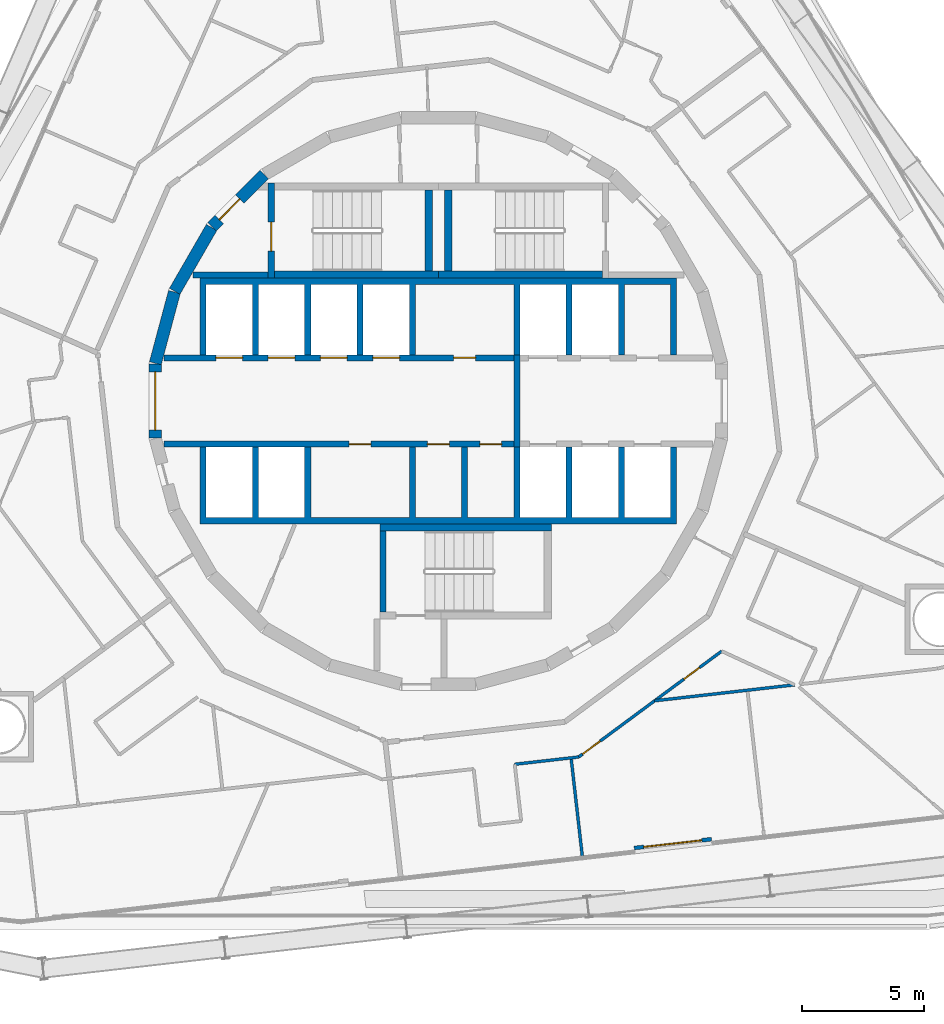
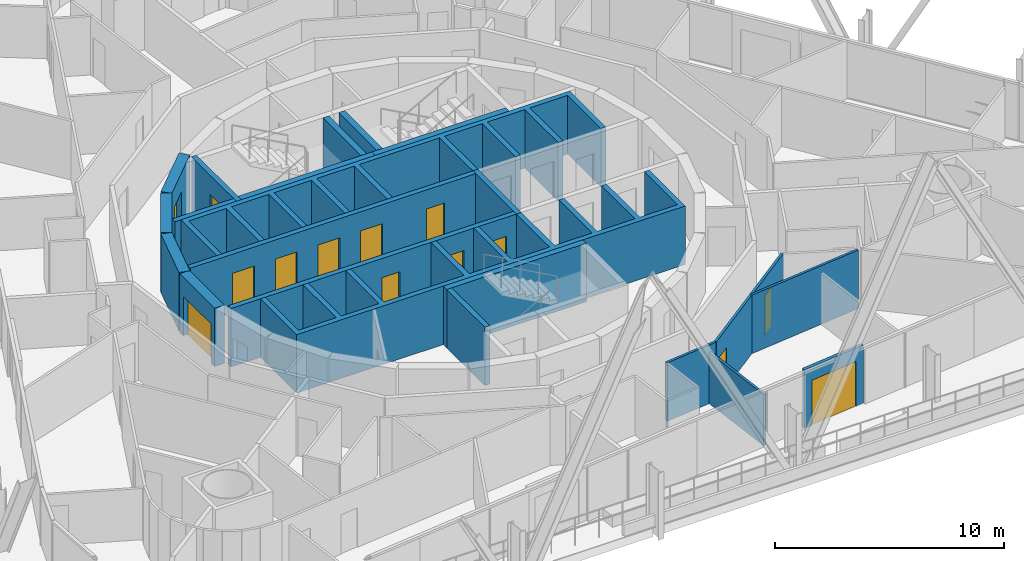
# One storey, part 18 of 32: 22 walls, 14 doors, 14 openings.
"""IFC4 building model written with IfcOpenShell, lengths in metres."""

import ifcopenshell
import ifcopenshell.guid

model = None  # the IFC model being written
_history = None  # IfcOwnerHistory: only IFC2X3 demands one
_inside = {}  # id of a spatial element -> (the spatial element, [elements in it])
_under = {}  # id of a project, library or spatial element -> (it, [spatial elements below it])
_declared = {}  # id of a project -> (the project, [libraries it declares])
_typed = {}  # id of a type object -> (the type object, [elements of that type])
_made_of = {}  # id of a material, layer set ... -> (it, [elements and type objects made of it])


def new_model(schema):
    """Start an empty IFC model of exactly this schema.

    Asked for "IFC4X3", IfcOpenShell would pick the latest addendum, in which some entities
    have other attributes; the version numbers below select the first issue.
    IFC2X3 requires an IfcOwnerHistory on every rooted entity: one is made here for all.
    """
    global model, _history
    if schema == "IFC4X3":
        model = ifcopenshell.file(schema_version=(4, 3, 0, 0))
    else:
        model = ifcopenshell.file(schema=schema)
    _inside.clear()
    _under.clear()
    _declared.clear()
    _typed.clear()
    _made_of.clear()
    _history = None
    if model.schema == "IFC2X3":
        org = make("IfcOrganization", Name="unknown")
        user = make(
            "IfcPersonAndOrganization",
            ThePerson=make("IfcPerson", FamilyName="unknown"),
            TheOrganization=org,
        )
        app = make(
            "IfcApplication",
            ApplicationDeveloper=org,
            Version="unknown",
            ApplicationFullName="unknown",
            ApplicationIdentifier="unknown",
        )
        _history = make(
            "IfcOwnerHistory",
            OwningUser=user,
            OwningApplication=app,
            ChangeAction="ADDED",
            CreationDate=0,
        )
    return model


def make(cls, **values):
    """One entity of the class cls with the attributes given. An attribute that is None is left unset."""
    return model.create_entity(
        cls, **{name: value for name, value in values.items() if value is not None}
    )


def rooted(cls, **values):
    """An entity with a GlobalId (a new one), such as an element, a storey or a relation."""
    return make(cls, GlobalId=ifcopenshell.guid.new(), OwnerHistory=_history, **values)


def si_unit(unit_type, name, prefix=None):
    """IfcSIUnit, for example si_unit("LENGTHUNIT", "METRE", prefix="MILLI")."""
    return make("IfcSIUnit", UnitType=unit_type, Prefix=prefix, Name=name)


def assignment(units):
    """IfcUnitAssignment: the units of a project."""
    return None if units is None else make("IfcUnitAssignment", Units=units)


def point(xyz):
    """IfcCartesianPoint."""
    return None if xyz is None else make("IfcCartesianPoint", Coordinates=xyz)


def direction(xyz):
    """IfcDirection."""
    return None if xyz is None else make("IfcDirection", DirectionRatios=xyz)


def frame(location, z_axis=None, x_axis=None):
    """IfcAxis2Placement3D, a coordinate frame: its origin and axes. An axis left out is left unset."""
    return make(
        "IfcAxis2Placement3D",
        Location=point(location),
        Axis=direction(z_axis),
        RefDirection=direction(x_axis),
    )


def frame_2d(location, x_axis=None):
    """IfcAxis2Placement2D, a coordinate frame in the plane: its origin and x axis."""
    return make(
        "IfcAxis2Placement2D", Location=point(location), RefDirection=direction(x_axis)
    )


def origin():
    """The frame at (0, 0, 0) with its axes left unset."""
    return frame((0.0, 0.0, 0.0))


def place(relative_to, where):
    """IfcLocalPlacement: puts the frame where relative to a parent placement (None: the world)."""
    return make(
        "IfcLocalPlacement", PlacementRelTo=relative_to, RelativePlacement=where
    )


def context(
    kind, dimensions, precision=None, world=None, true_north=None, identifier=None
):
    """IfcGeometricRepresentationContext, for example the 3D "Model" context."""
    return make(
        "IfcGeometricRepresentationContext",
        ContextIdentifier=identifier,
        ContextType=kind,
        CoordinateSpaceDimension=dimensions,
        Precision=precision,
        WorldCoordinateSystem=world,
        TrueNorth=true_north,
    )


def subcontext(parent, identifier, kind, view, scale=None):
    """IfcGeometricRepresentationSubContext, for example "Body" below "Model"."""
    return make(
        "IfcGeometricRepresentationSubContext",
        ContextIdentifier=identifier,
        ContextType=kind,
        ParentContext=parent,
        TargetScale=scale,
        TargetView=view,
    )


def project(units=None, contexts=None):
    """IfcProject with its units and contexts."""
    return rooted(
        "IfcProject",
        Name="project",
        RepresentationContexts=contexts,
        UnitsInContext=assignment(units),
    )


def spatial(cls, under=None, at=None, **own):
    """A site, building, storey or space (cls), placed at a placement, below another one or the project."""
    s = rooted(cls, ObjectPlacement=at, **own)
    if under is not None:
        _under.setdefault(under.id(), (under, []))[1].append(s)
    return s


def polyline(points):
    """IfcPolyline through the points."""
    return make("IfcPolyline", Points=[point(p) for p in points])


def profile(cls, at=None, kind="AREA", **sizes):
    """A parametric profile (cls). Its sizes go by their IFC names, for example OverallWidth=200.0."""
    return make(cls, ProfileType=kind, Position=at, **sizes)


def rectangle(**sizes):
    """IfcRectangleProfileDef."""
    return profile("IfcRectangleProfileDef", **sizes)


def outline(outer, holes=None, kind="AREA"):
    """IfcArbitraryClosedProfileDef: a profile drawn as a closed curve; with holes, ...WithVoids."""
    if holes is None:
        return make("IfcArbitraryClosedProfileDef", ProfileType=kind, OuterCurve=outer)
    return make(
        "IfcArbitraryProfileDefWithVoids",
        ProfileType=kind,
        OuterCurve=outer,
        InnerCurves=holes,
    )


def extrude(swept, where, along, depth):
    """IfcExtrudedAreaSolid: the profile swept, set in the frame where, extruded along a direction by depth."""
    return make(
        "IfcExtrudedAreaSolid",
        SweptArea=swept,
        Position=where,
        ExtrudedDirection=direction(along),
        Depth=depth,
    )


def shape(context_of_items, identifier, shape_type, items):
    """IfcShapeRepresentation: the items that make up one representation, for example the "Body"."""
    return make(
        "IfcShapeRepresentation",
        ContextOfItems=context_of_items,
        RepresentationIdentifier=identifier,
        RepresentationType=shape_type,
        Items=items,
    )


def material(Name=None, Category=None):
    """IfcMaterial."""
    return make("IfcMaterial", Name=Name, Category=Category)


def layer(
    of_material, thickness, ventilated=None, Name=None, Category=None, Priority=None
):
    """IfcMaterialLayer: one layer of a wall or slab, of a material (None: an air gap)."""
    return make(
        "IfcMaterialLayer",
        Material=of_material,
        LayerThickness=thickness,
        IsVentilated=ventilated,
        Name=Name,
        Category=Category,
        Priority=Priority,
    )


def layer_set(layers, Name=None):
    """IfcMaterialLayerSet."""
    return make("IfcMaterialLayerSet", MaterialLayers=layers, LayerSetName=Name)


def made_of(thing, what):
    """Note that an element or type object is made of a material, layer set ...; save() writes the relation."""
    if what is not None:
        _made_of.setdefault(what.id(), (what, []))[1].append(thing)
    return thing


def type_object(cls, material=None, **own):
    """A type object (cls), such as IfcWallType, which elements share."""
    return made_of(rooted(cls, **own), material)


def element(
    cls,
    number,
    at=None,
    inside=None,
    cuts=None,
    type_object=None,
    material=None,
    context=None,
    identifier="Body",
    shape_type=None,
    held_by="IfcProductDefinitionShape",
    body=None,
    shapes=None,
    **own,
):
    """One element of the class cls, such as IfcWall. Its Tag is "e" and its number.

    at: its placement. inside: the storey or other place that contains it. cuts: it is an
    opening in that element (IfcRelVoidsElement). A single representation is given by context,
    identifier, shape_type and body (its items); several are given by shapes. held_by: the class
    of the entity that holds the representations. save() writes the other relations.
    """
    e = rooted(cls, Tag="e%d" % number, ObjectPlacement=at, **own)
    if body is not None:
        shapes = [shape(context, identifier, shape_type, body)]
    if shapes is not None:
        e.Representation = make(held_by, Representations=shapes)
    if inside is not None:
        _inside.setdefault(inside.id(), (inside, []))[1].append(e)
    if cuts is not None:
        rooted(
            "IfcRelVoidsElement", RelatingBuildingElement=cuts, RelatedOpeningElement=e
        )
    if type_object is not None:
        _typed.setdefault(type_object.id(), (type_object, []))[1].append(e)
    return made_of(e, material)


def fill(opening, filler):
    """IfcRelFillsElement: the door or window that sits in an opening."""
    return rooted(
        "IfcRelFillsElement",
        RelatingOpeningElement=opening,
        RelatedBuildingElement=filler,
    )


def aggregate(whole, parts):
    """IfcRelAggregates: a whole, such as a stair, and the parts it consists of."""
    return rooted("IfcRelAggregates", RelatingObject=whole, RelatedObjects=parts)


def save(model, path):
    """Write the relations noted so far, then the file.

    IfcRelAggregates (storeys below a building ...), IfcRelContainedInSpatialStructure (elements
    in a storey), IfcRelDefinesByType, IfcRelAssociatesMaterial and IfcRelDeclares: one each for
    every whole, place, type object, material and project.
    """
    for whole, parts in _under.values():
        aggregate(whole, parts)
    for where, things in _inside.values():
        rooted(
            "IfcRelContainedInSpatialStructure",
            RelatedElements=things,
            RelatingStructure=where,
        )
    for kind, things in _typed.values():
        rooted("IfcRelDefinesByType", RelatedObjects=things, RelatingType=kind)
    for what, things in _made_of.values():
        rooted("IfcRelAssociatesMaterial", RelatedObjects=things, RelatingMaterial=what)
    for by, libraries in _declared.values():
        rooted("IfcRelDeclares", RelatingContext=by, RelatedDefinitions=libraries)
    model.write(path)


model = new_model("IFC4")

# Units and contexts
model_context = context("Model", 3, precision=1e-05, world=origin(), true_north=direction((0.0, 1.0)))
body_context = subcontext(model_context, "Body", "Model", "MODEL_VIEW")
ifc_project = project(units=[si_unit("LENGTHUNIT", "METRE"), si_unit("AREAUNIT", "SQUARE_METRE"), si_unit("VOLUMEUNIT", "CUBIC_METRE"), si_unit("PLANEANGLEUNIT", "RADIAN"), si_unit("MASSUNIT", "GRAM", prefix="KILO")], contexts=[model_context])

# Site, building, storey
site_placement = place(None, origin())
site = spatial("IfcSite", under=ifc_project, at=site_placement, CompositionType="ELEMENT")
building_placement = place(site_placement, origin())
building = spatial("IfcBuilding", under=site, at=building_placement, Name="Spindle Arch Residences", CompositionType="ELEMENT")
storey_placement = place(building_placement, frame((0.0, 0.0, 76.699951171875)))
storey = spatial("IfcBuildingStorey", under=building, at=storey_placement, Name="L17", CompositionType="ELEMENT", Elevation=76.699951171875)

# Wall, opening, door
ifc_material_1 = material(Name="Concrete C50/60", Category="concrete")
ifc_layer_1 = layer(ifc_material_1, 0.5)
ifc_layer_set_1 = layer_set([ifc_layer_1], Name="Core outline wall 500")
wall_type_1 = type_object("IfcWallType", Name="Core outline wall 500", PredefinedType="SHEAR", material=ifc_layer_set_1)
wall_1_placement = place(storey_placement, frame((-7.163818359375, 9.30810546875, 0.0), z_axis=(0.0, 0.0, 1.0), x_axis=(-0.707106781187, -0.707106781187, 0.0)))
wall_1 = element("IfcWall", 1, at=wall_1_placement, inside=storey, type_object=wall_type_1, Name="Core outline wall 15", PredefinedType="SHEAR", context=body_context, shape_type="SweptSolid", body=[
    extrude(rectangle(XDim=3.032470703125, YDim=0.5, at=frame_2d((1.51611328125, 0.0))), origin(), (0.0, 0.0, 1.0), 3.1201171875),
])
opening_1_placement = place(wall_1_placement, frame((1.416259765625, 0.0, 0.0)))
opening_1 = element("IfcOpeningElement", 2, at=opening_1_placement, cuts=wall_1, Name="Opening R2A0-AD02", PredefinedType="OPENING", context=body_context, shape_type="SweptSolid", body=[
    extrude(rectangle(XDim=1.199951171875, YDim=2.10009765625, at=frame_2d((0.60009765625, 1.050048828125))), frame((0.0, 0.260009765625, 0.0), z_axis=(0.0, -1.0, 0.0), x_axis=(1.0, 0.0, 0.0)), (0.0, 0.0, 1.0), 0.52001953125),
])
ifc_material_2 = material(Name="Steel, fire-resisting door", Category="steel")
door_type_1 = type_object("IfcDoorType", Name="Stair airlock door 1200x2100", OperationType="SINGLE_SWING_LEFT", PredefinedType="DOOR", material=ifc_material_2)
door_1_placement = place(opening_1_placement, origin())
door_1 = element("IfcDoor", 3, at=door_1_placement, inside=storey, type_object=door_type_1, Name="Stair airlock door R2A0-AD02", OperationType="SINGLE_SWING_RIGHT", OverallHeight=2.10009765625, OverallWidth=1.199951171875, PredefinedType="DOOR", context=body_context, shape_type="SweptSolid", body=[
    extrude(rectangle(XDim=1.199951171875, YDim=2.10009765625, at=frame_2d((0.60009765625, 1.050048828125))), frame((0.0, 0.02490234375, 0.0), z_axis=(0.0, -1.0, 0.0), x_axis=(1.0, 0.0, 0.0)), (0.0, 0.0, 1.0), 0.050048828125),
])
fill(opening_1, door_1)

# Walls
for number, where, z_axis, x_axis, name in (
    (4, (-9.32861328125, 7.13671875, 0.0), (0.0, 0.0, 1.0), (-0.500087131594, -0.865975092491, 0.0), "Core outline wall 16"),
    (5, (-10.858154296875, 4.479248046875, 0.0), (0.0, 0.0, 1.0), (-0.258734743916, -0.965948410781, 0.0), "Core outline wall 17"),
):
    element("IfcWall", number, at=place(storey_placement, frame(where, z_axis=z_axis, x_axis=x_axis)), inside=storey, type_object=wall_type_1, Name=name, PredefinedType="SHEAR", context=body_context, shape_type="SweptSolid", body=[
        extrude(rectangle(XDim=3.03271484375, YDim=0.5, at=frame_2d((1.516357421875, 0.0))), origin(), (0.0, 0.0, 1.0), 3.1201171875),
    ])

# Wall, opening, door
wall_2_placement = place(storey_placement, frame((-11.647216796875, 1.516357421875, 0.0), z_axis=(0.0, 0.0, 1.0), x_axis=(0.0, -1.0, 0.0)))
wall_2 = element("IfcWall", 6, at=wall_2_placement, inside=storey, type_object=wall_type_1, Name="Core outline wall 18", PredefinedType="SHEAR", context=body_context, shape_type="SweptSolid", body=[
    extrude(rectangle(XDim=3.03271484375, YDim=0.5, at=frame_2d((1.516357421875, 0.0))), origin(), (0.0, 0.0, 1.0), 3.1201171875),
])
opening_2_placement = place(wall_2_placement, frame((0.31640625, 0.0, 0.0)))
opening_2 = element("IfcOpeningElement", 7, at=opening_2_placement, cuts=wall_2, Name="Opening R2A0-LE01", PredefinedType="OPENING", context=body_context, shape_type="SweptSolid", body=[
    extrude(rectangle(XDim=2.39990234375, YDim=2.10009765625, at=frame_2d((1.199951171875, 1.050048828125))), frame((0.0, 0.260009765625, 0.0), z_axis=(0.0, -1.0, 0.0), x_axis=(1.0, 0.0, 0.0)), (0.0, 0.0, 1.0), 0.52001953125),
])
ifc_material_3 = material(Name="Steel, fire-resisting door", Category="steel")
door_type_2 = type_object("IfcDoorType", Name="Lift lobby entrance door 2400x2100", OperationType="DOUBLE_DOOR_SINGLE_SWING", PredefinedType="DOOR", material=ifc_material_3)
door_2_placement = place(opening_2_placement, origin())
door_2 = element("IfcDoor", 8, at=door_2_placement, inside=storey, type_object=door_type_2, Name="Lift lobby entrance door R2A0-LE01", OperationType="DOUBLE_DOOR_SINGLE_SWING", OverallHeight=2.10009765625, OverallWidth=2.39990234375, PredefinedType="DOOR", context=body_context, shape_type="SweptSolid", body=[
    extrude(rectangle(XDim=2.39990234375, YDim=2.10009765625, at=frame_2d((1.199951171875, 1.050048828125))), frame((0.0, 0.02490234375, 0.0), z_axis=(0.0, -1.0, 0.0), x_axis=(1.0, 0.0, 0.0)), (0.0, 0.0, 1.0), 0.050048828125),
])
fill(opening_2, door_2)

# Walls
ifc_material_4 = material(Name="Concrete C40/50", Category="concrete")
ifc_layer_2 = layer(ifc_material_4, 0.25)
ifc_layer_set_2 = layer_set([ifc_layer_2], Name="Fire-lift lobby wall 250")
wall_type_2 = type_object("IfcWallType", Name="Fire-lift lobby wall 250", PredefinedType="SHEAR", material=ifc_layer_set_2)
wall_3_placement = place(storey_placement, frame((3.22509765625, -1.89990234375, 0.0), z_axis=(0.0, 0.0, 1.0), x_axis=(0.0, 1.0, 0.0)))
element("IfcWall", 9, at=wall_3_placement, inside=storey, type_object=wall_type_2, Name="Fire-fighting lobby partition", PredefinedType="SHEAR", context=body_context, shape_type="SweptSolid", body=[
    extrude(rectangle(XDim=3.7998046875, YDim=0.25, at=frame_2d((1.89990234375, 0.0))), origin(), (0.0, 0.0, 1.0), 3.1201171875),
])
ifc_material_5 = material(Name="Plasterboard on steel studs", Category="steel")
ifc_layer_3 = layer(ifc_material_5, 0.1201171875)
ifc_layer_set_3 = layer_set([ifc_layer_3], Name="Flat partition 120")
wall_type_3 = type_object("IfcWallType", Name="Flat partition 120", PredefinedType="PARTITIONING", material=ifc_layer_set_3)
wall_4_placement = place(storey_placement, frame((3.1376953125, -14.94091796875, 0.0), z_axis=(0.0, 0.0, 1.0), x_axis=(0.99356355736, 0.113276023437, 0.0)))
element("IfcWall", 10, at=wall_4_placement, inside=storey, type_object=wall_type_3, Name="Flat partition R2A0-W117", PredefinedType="PARTITIONING", context=body_context, shape_type="SweptSolid", body=[
    extrude(rectangle(XDim=2.646728515625, YDim=0.1201171875, at=frame_2d((1.3232421875, 0.0))), origin(), (0.0, 0.0, 1.0), 3.1201171875),
])

# Wall, openings, doors
wall_5_placement = place(storey_placement, frame((5.767333984375, -14.64111328125, 0.0), z_axis=(0.0, 0.0, 1.0), x_axis=(0.803867427863, 0.594808505673, 0.0)))
wall_5 = element("IfcWall", 11, at=wall_5_placement, inside=storey, type_object=wall_type_3, Name="Flat partition R2A0-W118", PredefinedType="PARTITIONING", context=body_context, shape_type="SweptSolid", body=[
    extrude(rectangle(XDim=7.31640625, YDim=0.1201171875, at=frame_2d((3.658203125, 0.0))), origin(), (0.0, 0.0, 1.0), 3.1201171875),
])
opening_3_placement = place(wall_5_placement, frame((0.199951171875, 0.0, 0.0)))
opening_3 = element("IfcOpeningElement", 12, at=opening_3_placement, cuts=wall_5, Name="Opening R2A0-ID30", PredefinedType="OPENING", context=body_context, shape_type="SweptSolid", body=[
    extrude(rectangle(XDim=0.89990234375, YDim=2.10009765625, at=frame_2d((0.449951171875, 1.050048828125))), frame((0.0, 0.070068359375, 0.0), z_axis=(0.0, -1.0, 0.0), x_axis=(1.0, 0.0, 0.0)), (0.0, 0.0, 1.0), 0.14013671875),
])
opening_4_placement = place(wall_5_placement, frame((5.385009765625, 0.0, 0.0)))
opening_4 = element("IfcOpeningElement", 13, at=opening_4_placement, cuts=wall_5, Name="Opening R2A0-BD07", PredefinedType="OPENING", context=body_context, shape_type="SweptSolid", body=[
    extrude(rectangle(XDim=0.800048828125, YDim=2.10009765625, at=frame_2d((0.39990234375, 1.050048828125))), frame((0.0, 0.070068359375, 0.0), z_axis=(0.0, -1.0, 0.0), x_axis=(1.0, 0.0, 0.0)), (0.0, 0.0, 1.0), 0.14013671875),
])
ifc_material_6 = material(Name="Timber door set", Category="wood")
door_type_3 = type_object("IfcDoorType", Name="Bathroom door 800x2100", OperationType="NOTDEFINED", PredefinedType="DOOR", material=ifc_material_6)
door_3_placement = place(opening_4_placement, origin())
door_3 = element("IfcDoor", 14, at=door_3_placement, inside=storey, type_object=door_type_3, Name="Bathroom door R2A0-BD07", OperationType="SINGLE_SWING_RIGHT", OverallHeight=2.10009765625, OverallWidth=0.800048828125, PredefinedType="DOOR", context=body_context, shape_type="SweptSolid", body=[
    extrude(rectangle(XDim=0.800048828125, YDim=2.10009765625, at=frame_2d((0.39990234375, 1.050048828125))), frame((0.0, 0.02490234375, 0.0), z_axis=(0.0, -1.0, 0.0), x_axis=(1.0, 0.0, 0.0)), (0.0, 0.0, 1.0), 0.050048828125),
])
fill(opening_4, door_3)
ifc_material_7 = material(Name="Timber door set", Category="wood")
door_type_4 = type_object("IfcDoorType", Name="Room door 900x2100", OperationType="NOTDEFINED", PredefinedType="DOOR", material=ifc_material_7)
door_4_placement = place(opening_3_placement, origin())
door_4 = element("IfcDoor", 15, at=door_4_placement, inside=storey, type_object=door_type_4, Name="Room door R2A0-ID30", OperationType="SINGLE_SWING_RIGHT", OverallHeight=2.10009765625, OverallWidth=0.89990234375, PredefinedType="DOOR", context=body_context, shape_type="SweptSolid", body=[
    extrude(rectangle(XDim=0.89990234375, YDim=2.10009765625, at=frame_2d((0.449951171875, 1.050048828125))), frame((0.0, 0.02490234375, 0.0), z_axis=(0.0, -1.0, 0.0), x_axis=(1.0, 0.0, 0.0)), (0.0, 0.0, 1.0), 0.050048828125),
])
fill(opening_3, door_4)

# Walls
wall_6_placement = place(storey_placement, frame((14.64892578125, -11.67431640625, 0.0), z_axis=(0.0, 0.0, 1.0), x_axis=(-0.993573746873, -0.113186613721, 0.0)))
element("IfcWall", 16, at=wall_6_placement, inside=storey, type_object=wall_type_3, Name="Flat partition R2A0-W124", PredefinedType="PARTITIONING", context=body_context, shape_type="SweptSolid", body=[
    extrude(rectangle(XDim=5.7958984375, YDim=0.1201171875, at=frame_2d((2.89794921875, 0.0))), origin(), (0.0, 0.0, 1.0), 3.1201171875),
])
ifc_material_8 = material(Name="Plasterboard on steel studs", Category="steel")
ifc_layer_4 = layer(ifc_material_8, 0.1201171875)
ifc_layer_set_4 = layer_set([ifc_layer_4], Name="Flat partition 120 under beam 2730")
wall_type_4 = type_object("IfcWallType", Name="Flat partition 120 under beam 2730", PredefinedType="PARTITIONING", material=ifc_layer_set_4)
wall_7_placement = place(storey_placement, frame((5.915283203125, -18.7080078125, 0.0), z_axis=(0.0, 0.0, 1.0), x_axis=(-0.113244511591, 0.993567149515, 0.0)))
element("IfcWall", 17, at=wall_7_placement, inside=storey, type_object=wall_type_4, Name="Flat partition R2A0-W123", PredefinedType="PARTITIONING", context=body_context, shape_type="SweptSolid", body=[
    extrude(rectangle(XDim=4.057373046875, YDim=0.1201171875, at=frame_2d((2.02880859375, 0.0))), origin(), (0.0, 0.0, 1.0), 2.72998046875),
])

# Wall, opening, door
ifc_material_9 = material(Name="Non-combustible mineral wool insulated aluminium faced external wall (K0)", Category="aluminium")
ifc_layer_5 = layer(ifc_material_9, 0.159912109375)
ifc_layer_set_5 = layer_set([ifc_layer_5], Name="Insulated external wall panel 160")
wall_type_5 = type_object("IfcWallType", Name="Insulated external wall panel 160", PredefinedType="STANDARD", material=ifc_layer_set_5)
wall_8_placement = place(storey_placement, frame((8.0517578125, -18.38427734375, 0.0), z_axis=(0.0, 0.0, 1.0), x_axis=(0.993569997097, 0.113219525124, 0.0)))
wall_8 = element("IfcWall", 18, at=wall_8_placement, inside=storey, type_object=wall_type_5, Name="External wall L17 bay 1", PredefinedType="STANDARD", context=body_context, shape_type="SweptSolid", body=[
    extrude(rectangle(XDim=3.199951171875, YDim=0.159912109375, at=frame_2d((1.60009765625, 0.0))), origin(), (0.0, 0.0, 1.0), 3.1201171875),
])
opening_5_placement = place(wall_8_placement, frame((0.39990234375, 0.0, 0.0)))
opening_5 = element("IfcOpeningElement", 19, at=opening_5_placement, cuts=wall_8, Name="Opening BD01", PredefinedType="OPENING", context=body_context, shape_type="SweptSolid", body=[
    extrude(rectangle(XDim=2.39990234375, YDim=2.39990234375, at=frame_2d((1.199951171875, 1.199951171875))), frame((0.0, 0.08984375, 0.0), z_axis=(0.0, -1.0, 0.0), x_axis=(1.0, 0.0, 0.0)), (0.0, 0.0, 1.0), 0.179931640625),
])
ifc_material_10 = material(Name="Bronze aluminium frame, tinted double glazing", Category="aluminium")
door_type_5 = type_object("IfcDoorType", Name="Sliding glazed balcony door 2400x2400", OperationType="DOUBLE_DOOR_SLIDING", PredefinedType="DOOR", material=ifc_material_10)
door_5_placement = place(opening_5_placement, origin())
door_5 = element("IfcDoor", 20, at=door_5_placement, inside=storey, type_object=door_type_5, Name="Balcony door BD01", OperationType="DOUBLE_DOOR_SLIDING", OverallHeight=2.39990234375, OverallWidth=2.39990234375, PredefinedType="DOOR", context=body_context, shape_type="SweptSolid", body=[
    extrude(rectangle(XDim=2.39990234375, YDim=2.39990234375, at=frame_2d((1.199951171875, 1.199951171875))), frame((0.0, 0.02490234375, 0.0), z_axis=(0.0, -1.0, 0.0), x_axis=(1.0, 0.0, 0.0)), (0.0, 0.0, 1.0), 0.050048828125),
])
fill(opening_5, door_5)

# Wall, openings, doors
ifc_material_11 = material(Name="Concrete C50/60", Category="concrete")
ifc_layer_6 = layer(ifc_material_11, 0.25)
ifc_layer_set_6 = layer_set([ifc_layer_6], Name="Lift shaft wall 250")
wall_type_6 = type_object("IfcWallType", Name="Lift shaft wall 250", PredefinedType="SHEAR", material=ifc_layer_set_6)
wall_9_placement = place(storey_placement, frame((-11.280029296875, 1.77490234375, 0.0), z_axis=(0.0, 0.0, 1.0), x_axis=(1.0, 0.0, 0.0)))
wall_9 = element("IfcWall", 21, at=wall_9_placement, inside=storey, type_object=wall_type_6, Name="Lift shaft front wall NW", PredefinedType="SHEAR", context=body_context, shape_type="SweptSolid", body=[
    extrude(rectangle(XDim=14.380126953125, YDim=0.25, at=frame_2d((7.18994140625, 0.0))), origin(), (0.0, 0.0, 1.0), 3.1201171875),
])
opening_6_placement = place(wall_9_placement, frame((2.1298828125, 0.0, 0.0)))
opening_6 = element("IfcOpeningElement", 22, at=opening_6_placement, cuts=wall_9, Name="Opening R2A0-LD01", PredefinedType="OPENING", context=body_context, shape_type="SweptSolid", body=[
    extrude(rectangle(XDim=1.10009765625, YDim=2.10009765625, at=frame_2d((0.550048828125, 1.050048828125))), frame((0.0, 0.135009765625, 0.0), z_axis=(0.0, -1.0, 0.0), x_axis=(1.0, 0.0, 0.0)), (0.0, 0.0, 1.0), 0.27001953125),
])
opening_7_placement = place(wall_9_placement, frame((4.280029296875, 0.0, 0.0)))
opening_7 = element("IfcOpeningElement", 23, at=opening_7_placement, cuts=wall_9, Name="Opening R2A0-LD02", PredefinedType="OPENING", context=body_context, shape_type="SweptSolid", body=[
    extrude(rectangle(XDim=1.10009765625, YDim=2.10009765625, at=frame_2d((0.550048828125, 1.050048828125))), frame((0.0, 0.135009765625, 0.0), z_axis=(0.0, -1.0, 0.0), x_axis=(1.0, 0.0, 0.0)), (0.0, 0.0, 1.0), 0.27001953125),
])
opening_8_placement = place(wall_9_placement, frame((6.429931640625, 0.0, 0.0)))
opening_8 = element("IfcOpeningElement", 24, at=opening_8_placement, cuts=wall_9, Name="Opening R2A0-LD03", PredefinedType="OPENING", context=body_context, shape_type="SweptSolid", body=[
    extrude(rectangle(XDim=1.10009765625, YDim=2.10009765625, at=frame_2d((0.550048828125, 1.050048828125))), frame((0.0, 0.135009765625, 0.0), z_axis=(0.0, -1.0, 0.0), x_axis=(1.0, 0.0, 0.0)), (0.0, 0.0, 1.0), 0.27001953125),
])
opening_9_placement = place(wall_9_placement, frame((8.580078125, 0.0, 0.0)))
opening_9 = element("IfcOpeningElement", 25, at=opening_9_placement, cuts=wall_9, Name="Opening R2A0-LD04", PredefinedType="OPENING", context=body_context, shape_type="SweptSolid", body=[
    extrude(rectangle(XDim=1.10009765625, YDim=2.10009765625, at=frame_2d((0.550048828125, 1.050048828125))), frame((0.0, 0.135009765625, 0.0), z_axis=(0.0, -1.0, 0.0), x_axis=(1.0, 0.0, 0.0)), (0.0, 0.0, 1.0), 0.27001953125),
])
opening_10_placement = place(wall_9_placement, frame((11.905029296875, 0.0, 0.0)))
opening_10 = element("IfcOpeningElement", 26, at=opening_10_placement, cuts=wall_9, Name="Opening R2A0-WD01", PredefinedType="OPENING", context=body_context, shape_type="SweptSolid", body=[
    extrude(rectangle(XDim=0.89990234375, YDim=2.10009765625, at=frame_2d((0.449951171875, 1.050048828125))), frame((0.0, 0.135009765625, 0.0), z_axis=(0.0, -1.0, 0.0), x_axis=(1.0, 0.0, 0.0)), (0.0, 0.0, 1.0), 0.27001953125),
])
ifc_material_12 = material(Name="Steel, fire-resisting landing door", Category="steel")
door_type_6 = type_object("IfcDoorType", Name="Lift landing door 1100x2100", OperationType="DOUBLE_DOOR_SLIDING", PredefinedType="DOOR", material=ifc_material_12)
door_6_placement = place(opening_6_placement, origin())
door_6 = element("IfcDoor", 27, at=door_6_placement, inside=storey, type_object=door_type_6, Name="Lift landing door R2A0-LD01", OperationType="DOUBLE_DOOR_SLIDING", OverallHeight=2.10009765625, OverallWidth=1.10009765625, PredefinedType="DOOR", context=body_context, shape_type="SweptSolid", body=[
    extrude(rectangle(XDim=1.10009765625, YDim=2.10009765625, at=frame_2d((0.550048828125, 1.050048828125))), frame((0.0, 0.02490234375, 0.0), z_axis=(0.0, -1.0, 0.0), x_axis=(1.0, 0.0, 0.0)), (0.0, 0.0, 1.0), 0.050048828125),
])
fill(opening_6, door_6)
door_7_placement = place(opening_7_placement, origin())
door_7 = element("IfcDoor", 28, at=door_7_placement, inside=storey, type_object=door_type_6, Name="Lift landing door R2A0-LD02", OperationType="DOUBLE_DOOR_SLIDING", OverallHeight=2.10009765625, OverallWidth=1.10009765625, PredefinedType="DOOR", context=body_context, shape_type="SweptSolid", body=[
    extrude(rectangle(XDim=1.10009765625, YDim=2.10009765625, at=frame_2d((0.550048828125, 1.050048828125))), frame((0.0, 0.02490234375, 0.0), z_axis=(0.0, -1.0, 0.0), x_axis=(1.0, 0.0, 0.0)), (0.0, 0.0, 1.0), 0.050048828125),
])
fill(opening_7, door_7)
door_8_placement = place(opening_8_placement, origin())
door_8 = element("IfcDoor", 29, at=door_8_placement, inside=storey, type_object=door_type_6, Name="Lift landing door R2A0-LD03", OperationType="DOUBLE_DOOR_SLIDING", OverallHeight=2.10009765625, OverallWidth=1.10009765625, PredefinedType="DOOR", context=body_context, shape_type="SweptSolid", body=[
    extrude(rectangle(XDim=1.10009765625, YDim=2.10009765625, at=frame_2d((0.550048828125, 1.050048828125))), frame((0.0, 0.02490234375, 0.0), z_axis=(0.0, -1.0, 0.0), x_axis=(1.0, 0.0, 0.0)), (0.0, 0.0, 1.0), 0.050048828125),
])
fill(opening_8, door_8)
door_9_placement = place(opening_9_placement, origin())
door_9 = element("IfcDoor", 30, at=door_9_placement, inside=storey, type_object=door_type_6, Name="Lift landing door R2A0-LD04", OperationType="DOUBLE_DOOR_SLIDING", OverallHeight=2.10009765625, OverallWidth=1.10009765625, PredefinedType="DOOR", context=body_context, shape_type="SweptSolid", body=[
    extrude(rectangle(XDim=1.10009765625, YDim=2.10009765625, at=frame_2d((0.550048828125, 1.050048828125))), frame((0.0, 0.02490234375, 0.0), z_axis=(0.0, -1.0, 0.0), x_axis=(1.0, 0.0, 0.0)), (0.0, 0.0, 1.0), 0.050048828125),
])
fill(opening_9, door_9)
ifc_material_13 = material(Name="Steel, fire-resisting door", Category="steel")
door_type_7 = type_object("IfcDoorType", Name="Service room door 900x2100", OperationType="SINGLE_SWING_LEFT", PredefinedType="DOOR", material=ifc_material_13)
door_10_placement = place(opening_10_placement, origin())
door_10 = element("IfcDoor", 31, at=door_10_placement, inside=storey, type_object=door_type_7, Name="Service room door R2A0-WD01", OperationType="SINGLE_SWING_RIGHT", OverallHeight=2.10009765625, OverallWidth=0.89990234375, PredefinedType="DOOR", context=body_context, shape_type="SweptSolid", body=[
    extrude(rectangle(XDim=0.89990234375, YDim=2.10009765625, at=frame_2d((0.449951171875, 1.050048828125))), frame((0.0, 0.02490234375, 0.0), z_axis=(0.0, -1.0, 0.0), x_axis=(1.0, 0.0, 0.0)), (0.0, 0.0, 1.0), 0.050048828125),
])
fill(opening_10, door_10)

wall_10_placement = place(storey_placement, frame((-11.280029296875, -1.77490234375, 0.0), z_axis=(0.0, 0.0, 1.0), x_axis=(1.0, 0.0, 0.0)))
wall_10 = element("IfcWall", 32, at=wall_10_placement, inside=storey, type_object=wall_type_6, Name="Lift shaft front wall SW", PredefinedType="SHEAR", context=body_context, shape_type="SweptSolid", body=[
    extrude(rectangle(XDim=14.380126953125, YDim=0.25, at=frame_2d((7.18994140625, 0.0))), origin(), (0.0, 0.0, 1.0), 3.1201171875),
])
opening_11_placement = place(wall_10_placement, frame((7.60498046875, 0.0, 0.0)))
opening_11 = element("IfcOpeningElement", 33, at=opening_11_placement, cuts=wall_10, Name="Opening R2A0-WD03", PredefinedType="OPENING", context=body_context, shape_type="SweptSolid", body=[
    extrude(rectangle(XDim=0.89990234375, YDim=2.10009765625, at=frame_2d((0.449951171875, 1.050048828125))), frame((0.0, 0.135009765625, 0.0), z_axis=(0.0, -1.0, 0.0), x_axis=(1.0, 0.0, 0.0)), (0.0, 0.0, 1.0), 0.27001953125),
])
opening_12_placement = place(wall_10_placement, frame((10.830078125, 0.0, 0.0)))
opening_12 = element("IfcOpeningElement", 34, at=opening_12_placement, cuts=wall_10, Name="Opening R2A0-WD04", PredefinedType="OPENING", context=body_context, shape_type="SweptSolid", body=[
    extrude(rectangle(XDim=0.89990234375, YDim=2.10009765625, at=frame_2d((0.449951171875, 1.050048828125))), frame((0.0, 0.135009765625, 0.0), z_axis=(0.0, -1.0, 0.0), x_axis=(1.0, 0.0, 0.0)), (0.0, 0.0, 1.0), 0.27001953125),
])
opening_13_placement = place(wall_10_placement, frame((12.97998046875, 0.0, 0.0)))
opening_13 = element("IfcOpeningElement", 35, at=opening_13_placement, cuts=wall_10, Name="Opening R2A0-WD05", PredefinedType="OPENING", context=body_context, shape_type="SweptSolid", body=[
    extrude(rectangle(XDim=0.89990234375, YDim=2.10009765625, at=frame_2d((0.449951171875, 1.050048828125))), frame((0.0, 0.135009765625, 0.0), z_axis=(0.0, -1.0, 0.0), x_axis=(1.0, 0.0, 0.0)), (0.0, 0.0, 1.0), 0.27001953125),
])
door_11_placement = place(opening_11_placement, origin())
door_11 = element("IfcDoor", 36, at=door_11_placement, inside=storey, type_object=door_type_7, Name="Service room door R2A0-WD03", OperationType="SINGLE_SWING_RIGHT", OverallHeight=2.10009765625, OverallWidth=0.89990234375, PredefinedType="DOOR", context=body_context, shape_type="SweptSolid", body=[
    extrude(rectangle(XDim=0.89990234375, YDim=2.10009765625, at=frame_2d((0.449951171875, 1.050048828125))), frame((0.0, 0.02490234375, 0.0), z_axis=(0.0, -1.0, 0.0), x_axis=(1.0, 0.0, 0.0)), (0.0, 0.0, 1.0), 0.050048828125),
])
fill(opening_11, door_11)
door_12_placement = place(opening_12_placement, origin())
door_12 = element("IfcDoor", 37, at=door_12_placement, inside=storey, type_object=door_type_7, Name="Service room door R2A0-WD04", OperationType="SINGLE_SWING_LEFT", OverallHeight=2.10009765625, OverallWidth=0.89990234375, PredefinedType="DOOR", context=body_context, shape_type="SweptSolid", body=[
    extrude(rectangle(XDim=0.89990234375, YDim=2.10009765625, at=frame_2d((0.449951171875, 1.050048828125))), frame((0.0, 0.02490234375, 0.0), z_axis=(0.0, -1.0, 0.0), x_axis=(1.0, 0.0, 0.0)), (0.0, 0.0, 1.0), 0.050048828125),
])
fill(opening_12, door_12)
door_13_placement = place(opening_13_placement, origin())
door_13 = element("IfcDoor", 38, at=door_13_placement, inside=storey, type_object=door_type_7, Name="Service room door R2A0-WD05", OperationType="SINGLE_SWING_RIGHT", OverallHeight=2.10009765625, OverallWidth=0.89990234375, PredefinedType="DOOR", context=body_context, shape_type="SweptSolid", body=[
    extrude(rectangle(XDim=0.89990234375, YDim=2.10009765625, at=frame_2d((0.449951171875, 1.050048828125))), frame((0.0, 0.02490234375, 0.0), z_axis=(0.0, -1.0, 0.0), x_axis=(1.0, 0.0, 0.0)), (0.0, 0.0, 1.0), 0.050048828125),
])
fill(opening_13, door_13)

# Walls
ifc_material_14 = material(Name="Concrete C50/60", Category="concrete")
wall_type_7 = type_object("IfcWallType", Name="Lift shaft wall profile", PredefinedType="SHEAR", material=ifc_material_14)
wall_11_placement = place(storey_placement, origin())
element("IfcWall", 39, at=wall_11_placement, inside=storey, type_object=wall_type_7, Name="Lift shaft walls N", PredefinedType="SHEAR", context=body_context, shape_type="SweptSolid", body=[
    extrude(outline(polyline([(-9.550048828125, 4.800048828125), (-7.64990234375, 4.800048828125), (-7.64990234375, 1.89990234375), (-7.39990234375, 1.89990234375), (-7.39990234375, 4.800048828125), (-5.5, 4.800048828125), (-5.5, 1.89990234375), (-5.25, 1.89990234375), (-5.25, 4.800048828125), (-3.35009765625, 4.800048828125), (-3.35009765625, 1.89990234375), (-3.10009765625, 1.89990234375), (-3.10009765625, 4.800048828125), (-1.199951171875, 4.800048828125), (-1.199951171875, 1.89990234375), (-0.949951171875, 1.89990234375), (-0.949951171875, 4.800048828125), (3.10009765625, 4.800048828125), (3.10009765625, 1.89990234375), (3.35009765625, 1.89990234375), (3.35009765625, 4.800048828125), (5.25, 4.800048828125), (5.25, 1.89990234375), (5.5, 1.89990234375), (5.5, 4.800048828125), (7.39990234375, 4.800048828125), (7.39990234375, 1.89990234375), (7.64990234375, 1.89990234375), (7.64990234375, 4.800048828125), (9.550048828125, 4.800048828125), (9.550048828125, 1.89990234375), (9.800048828125, 1.89990234375), (9.800048828125, 4.800048828125), (9.800048828125, 5.050048828125), (-9.800048828125, 5.050048828125), (-9.800048828125, 4.800048828125), (-9.800048828125, 1.89990234375), (-9.550048828125, 1.89990234375), (-9.550048828125, 4.800048828125)])), origin(), (0.0, 0.0, 1.0), 3.1201171875),
])
wall_12_placement = place(storey_placement, origin())
element("IfcWall", 40, at=wall_12_placement, inside=storey, type_object=wall_type_7, Name="Lift shaft walls S", PredefinedType="SHEAR", context=body_context, shape_type="SweptSolid", body=[
    extrude(outline(polyline([(9.800048828125, -5.050048828125), (9.800048828125, -4.800048828125), (9.800048828125, -1.89990234375), (9.550048828125, -1.89990234375), (9.550048828125, -4.800048828125), (7.64990234375, -4.800048828125), (7.64990234375, -1.89990234375), (7.39990234375, -1.89990234375), (7.39990234375, -4.800048828125), (5.5, -4.800048828125), (5.5, -1.89990234375), (5.25, -1.89990234375), (5.25, -4.800048828125), (3.35009765625, -4.800048828125), (3.35009765625, -1.89990234375), (3.10009765625, -1.89990234375), (3.10009765625, -4.800048828125), (1.199951171875, -4.800048828125), (1.199951171875, -1.89990234375), (0.949951171875, -1.89990234375), (0.949951171875, -4.800048828125), (-0.949951171875, -4.800048828125), (-0.949951171875, -1.89990234375), (-1.199951171875, -1.89990234375), (-1.199951171875, -4.800048828125), (-5.25, -4.800048828125), (-5.25, -1.89990234375), (-5.5, -1.89990234375), (-5.5, -4.800048828125), (-7.39990234375, -4.800048828125), (-7.39990234375, -1.89990234375), (-7.64990234375, -1.89990234375), (-7.64990234375, -4.800048828125), (-9.550048828125, -4.800048828125), (-9.550048828125, -1.89990234375), (-9.800048828125, -1.89990234375), (-9.800048828125, -4.800048828125), (-9.800048828125, -5.050048828125), (9.800048828125, -5.050048828125)])), origin(), (0.0, 0.0, 1.0), 3.1201171875),
])
ifc_material_15 = material(Name="Concrete C40/50", Category="concrete")
ifc_layer_7 = layer(ifc_material_15, 0.25)
ifc_layer_set_7 = layer_set([ifc_layer_7], Name="Stair airlock wall 250")
wall_type_8 = type_object("IfcWallType", Name="Stair airlock wall 250", PredefinedType="SHEAR", material=ifc_layer_set_7)
wall_13_placement = place(storey_placement, frame((-7.0, 5.175048828125, 0.0), z_axis=(0.0, 0.0, 1.0), x_axis=(-1.0, 0.0, 0.0)))
element("IfcWall", 41, at=wall_13_placement, inside=storey, type_object=wall_type_8, Name="Stair ST-2 airlock wall S", PredefinedType="SHEAR", context=body_context, shape_type="SweptSolid", body=[
    extrude(rectangle(XDim=3.10009765625, YDim=0.25, at=frame_2d((1.550048828125, 0.0))), origin(), (0.0, 0.0, 1.0), 3.1201171875),
])

# Wall, opening, door
ifc_material_16 = material(Name="Concrete C50/60", Category="concrete")
ifc_layer_8 = layer(ifc_material_16, 0.25)
ifc_layer_set_8 = layer_set([ifc_layer_8], Name="Stair enclosure wall 250")
wall_type_9 = type_object("IfcWallType", Name="Stair enclosure wall 250", PredefinedType="SHEAR", material=ifc_layer_set_8)
wall_14_placement = place(storey_placement, frame((-6.875, 8.969970703125, 0.0), z_axis=(0.0, 0.0, 1.0), x_axis=(0.0, -1.0, 0.0)))
wall_14 = element("IfcWall", 42, at=wall_14_placement, inside=storey, type_object=wall_type_9, Name="Stair ST-2 door wall", PredefinedType="SHEAR", context=body_context, shape_type="SweptSolid", body=[
    extrude(rectangle(XDim=3.919921875, YDim=0.25, at=frame_2d((1.9599609375, 0.0))), origin(), (0.0, 0.0, 1.0), 3.1201171875),
])
opening_14_placement = place(wall_14_placement, frame((1.610107421875, 0.0, 0.0)))
opening_14 = element("IfcOpeningElement", 43, at=opening_14_placement, cuts=wall_14, Name="Opening R2A0-SD02", PredefinedType="OPENING", context=body_context, shape_type="SweptSolid", body=[
    extrude(rectangle(XDim=1.199951171875, YDim=2.10009765625, at=frame_2d((0.60009765625, 1.050048828125))), frame((0.0, 0.135009765625, 0.0), z_axis=(0.0, -1.0, 0.0), x_axis=(1.0, 0.0, 0.0)), (0.0, 0.0, 1.0), 0.27001953125),
])
ifc_material_17 = material(Name="Steel, fire-resisting door", Category="steel")
door_type_8 = type_object("IfcDoorType", Name="Stair door 1200x2100", OperationType="SINGLE_SWING_RIGHT", PredefinedType="DOOR", material=ifc_material_17)
door_14_placement = place(opening_14_placement, origin())
door_14 = element("IfcDoor", 44, at=door_14_placement, inside=storey, type_object=door_type_8, Name="Stair door R2A0-SD02", OperationType="SINGLE_SWING_LEFT", OverallHeight=2.10009765625, OverallWidth=1.199951171875, PredefinedType="DOOR", context=body_context, shape_type="SweptSolid", body=[
    extrude(rectangle(XDim=1.199951171875, YDim=2.10009765625, at=frame_2d((0.60009765625, 1.050048828125))), frame((0.0, 0.02490234375, 0.0), z_axis=(0.0, -1.0, 0.0), x_axis=(1.0, 0.0, 0.0)), (0.0, 0.0, 1.0), 0.050048828125),
])
fill(opening_14, door_14)

# Walls
wall_15_placement = place(storey_placement, frame((-2.27490234375, -8.669921875, 0.0), z_axis=(0.0, 0.0, 1.0), x_axis=(0.0, 1.0, 0.0)))
element("IfcWall", 45, at=wall_15_placement, inside=storey, type_object=wall_type_9, Name="Stair ST-3 enclosure wall W", PredefinedType="SHEAR", context=body_context, shape_type="SweptSolid", body=[
    extrude(rectangle(XDim=3.31982421875, YDim=0.25, at=frame_2d((1.659912109375, 0.0))), origin(), (0.0, 0.0, 1.0), 3.1201171875),
])
ifc_material_18 = material(Name="Concrete C50/60", Category="concrete")
ifc_layer_9 = layer(ifc_material_18, 0.300048828125)
ifc_layer_set_9 = layer_set([ifc_layer_9], Name="Stair enclosure wall 300")
wall_type_10 = type_object("IfcWallType", Name="Stair enclosure wall 300", PredefinedType="SHEAR", material=ifc_layer_set_9)
wall_16_placement = place(storey_placement, frame((0.0, 5.199951171875, 0.0), z_axis=(0.0, 0.0, 1.0), x_axis=(1.0, 0.0, 0.0)))
element("IfcWall", 46, at=wall_16_placement, inside=storey, type_object=wall_type_10, Name="Stair ST-1 enclosure wall S", PredefinedType="SHEAR", context=body_context, shape_type="SweptSolid", body=[
    extrude(rectangle(XDim=6.75, YDim=0.300048828125, at=frame_2d((3.375, 0.0))), origin(), (0.0, 0.0, 1.0), 3.1201171875),
])
wall_17_placement = place(storey_placement, frame((0.39990234375, 5.35009765625, 0.0), z_axis=(0.0, 0.0, 1.0), x_axis=(0.0, 1.0, 0.0)))
element("IfcWall", 47, at=wall_17_placement, inside=storey, type_object=wall_type_10, Name="Stair ST-1 enclosure wall F", PredefinedType="SHEAR", context=body_context, shape_type="SweptSolid", body=[
    extrude(rectangle(XDim=3.31982421875, YDim=0.300048828125, at=frame_2d((1.659912109375, 0.0))), origin(), (0.0, 0.0, 1.0), 3.1201171875),
])
wall_18_placement = place(storey_placement, frame((-6.75, 5.199951171875, 0.0), z_axis=(0.0, 0.0, 1.0), x_axis=(1.0, 0.0, 0.0)))
element("IfcWall", 48, at=wall_18_placement, inside=storey, type_object=wall_type_10, Name="Stair ST-2 enclosure wall S", PredefinedType="SHEAR", context=body_context, shape_type="SweptSolid", body=[
    extrude(rectangle(XDim=6.75, YDim=0.300048828125, at=frame_2d((3.375, 0.0))), origin(), (0.0, 0.0, 1.0), 3.1201171875),
])
wall_19_placement = place(storey_placement, frame((-0.39990234375, 5.35009765625, 0.0), z_axis=(0.0, 0.0, 1.0), x_axis=(0.0, 1.0, 0.0)))
element("IfcWall", 49, at=wall_19_placement, inside=storey, type_object=wall_type_10, Name="Stair ST-2 enclosure wall F", PredefinedType="SHEAR", context=body_context, shape_type="SweptSolid", body=[
    extrude(rectangle(XDim=3.31982421875, YDim=0.300048828125, at=frame_2d((1.659912109375, 0.0))), origin(), (0.0, 0.0, 1.0), 3.1201171875),
])
wall_20_placement = place(storey_placement, frame((-2.39990234375, -5.199951171875, 0.0), z_axis=(0.0, 0.0, 1.0), x_axis=(1.0, 0.0, 0.0)))
element("IfcWall", 50, at=wall_20_placement, inside=storey, type_object=wall_type_10, Name="Stair ST-3 enclosure wall N", PredefinedType="SHEAR", context=body_context, shape_type="SweptSolid", body=[
    extrude(rectangle(XDim=7.0498046875, YDim=0.300048828125, at=frame_2d((3.52490234375, 0.0))), origin(), (0.0, 0.0, 1.0), 3.1201171875),
])

save(model, "model.ifc")
